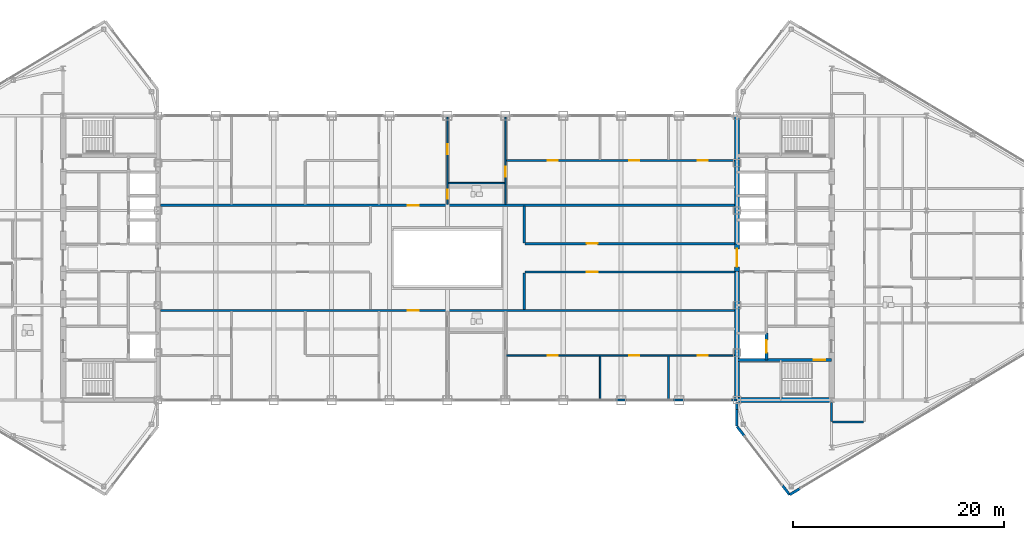
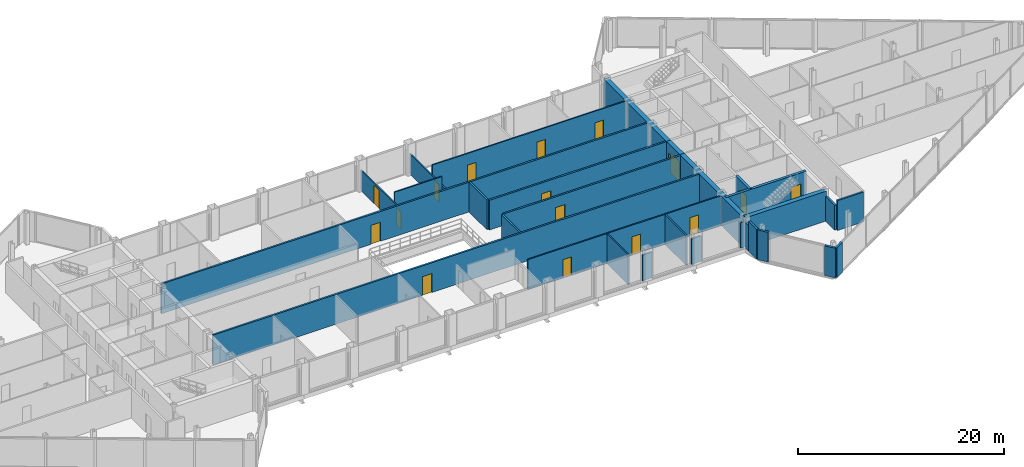
# One storey, part 24 of 29: 29 walls, 16 doors, 16 openings.
"""IFC4 building model written with IfcOpenShell, lengths in metres."""

from ifc_helpers import new_model, si_unit, direction, frame, frame_2d, origin, place, context, subcontext, project, spatial, rectangle, extrude, source, transform, mapped, material, layer, layer_set, type_object, type_shapes, element, fill, save


model = new_model("IFC4")

# Units and contexts
model_context = context("Model", 3, precision=1e-05, world=origin(), true_north=direction((0.0, 1.0)))
body_context = subcontext(model_context, "Body", "Model", "MODEL_VIEW")
ifc_project = project(units=[si_unit("LENGTHUNIT", "METRE"), si_unit("AREAUNIT", "SQUARE_METRE"), si_unit("VOLUMEUNIT", "CUBIC_METRE"), si_unit("PLANEANGLEUNIT", "RADIAN"), si_unit("MASSUNIT", "GRAM", prefix="KILO")], contexts=[model_context])

# Site, building, storey
site_placement = place(None, origin())
site = spatial("IfcSite", under=ifc_project, at=site_placement, CompositionType="ELEMENT")
building_placement = place(site_placement, origin())
building = spatial("IfcBuilding", under=site, at=building_placement, Name="Seokmaru Belvedere", CompositionType="ELEMENT")
storey_placement = place(building_placement, frame((0.0, 0.0, 243.14990234375)))
storey = spatial("IfcBuildingStorey", under=building, at=storey_placement, Name="L64", CompositionType="ELEMENT", Elevation=243.14990234375)

# Wall, openings, doors
ifc_material_1 = material(Name="Fire-Rated Gypsum Shaftwall")
ifc_layer_1 = layer(ifc_material_1, 0.14990234375)
ifc_layer_set_1 = layer_set([ifc_layer_1], Name="Fire-Rated Gypsum Shaftwall")
wall_type_1 = type_object("IfcWallType", Name="Apartment Fire-Acoustic Room Partition 150", PredefinedType="PARTITIONING", material=ifc_layer_set_1)
wall_1_placement = place(storey_placement, frame((5.5849609375, -9.25, 0.0), z_axis=(0.0, 0.0, 1.0), x_axis=(1.0, 0.0, 0.0)))
wall_1 = element("IfcWall", 1, at=wall_1_placement, inside=storey, type_object=wall_type_1, Name="L64 Interior Partition 005", PredefinedType="PARTITIONING", context=body_context, shape_type="SweptSolid", body=[
    extrude(rectangle(XDim=21.66015625, YDim=0.14990234375, at=frame_2d((10.830078125, 0.0))), origin(), (0.0, 0.0, 1.0), 3.530029296875),
])
opening_1_placement = place(wall_1_placement, frame((3.93994140625, 0.0, 0.0)))
opening_1 = element("IfcOpeningElement", 2, at=opening_1_placement, cuts=wall_1, Name="Opening D05", PredefinedType="OPENING", context=body_context, shape_type="SweptSolid", body=[
    extrude(rectangle(XDim=0.949951171875, YDim=2.14990234375, at=frame_2d((0.47509765625, 1.074951171875))), frame((0.0, 0.0849609375, 0.0), z_axis=(0.0, -1.0, 0.0), x_axis=(1.0, 0.0, 0.0)), (0.0, 0.0, 1.0), 0.169921875),
])
opening_2_placement = place(wall_1_placement, frame((11.68994140625, 0.0, 0.0)))
opening_2 = element("IfcOpeningElement", 3, at=opening_2_placement, cuts=wall_1, Name="Opening D05", PredefinedType="OPENING", context=body_context, shape_type="SweptSolid", body=[
    extrude(rectangle(XDim=0.949951171875, YDim=2.14990234375, at=frame_2d((0.47509765625, 1.074951171875))), frame((0.0, 0.0849609375, 0.0), z_axis=(0.0, -1.0, 0.0), x_axis=(1.0, 0.0, 0.0)), (0.0, 0.0, 1.0), 0.169921875),
])
opening_3_placement = place(wall_1_placement, frame((18.18994140625, 0.0, 0.0)))
opening_3 = element("IfcOpeningElement", 4, at=opening_3_placement, cuts=wall_1, Name="Opening D05", PredefinedType="OPENING", context=body_context, shape_type="SweptSolid", body=[
    extrude(rectangle(XDim=0.949951171875, YDim=2.14990234375, at=frame_2d((0.47509765625, 1.074951171875))), frame((0.0, 0.0849609375, 0.0), z_axis=(0.0, -1.0, 0.0), x_axis=(1.0, 0.0, 0.0)), (0.0, 0.0, 1.0), 0.169921875),
])
ifc_material_2 = material(Name="Engineered White Oak Timber", Category="wood")
door_type_1 = type_object("IfcDoorType", Name="Apartment Interior Fire-Rated Oak Door 950x2150", OperationType="NOTDEFINED", PredefinedType="DOOR", material=ifc_material_2)
shared_shape_1 = source(origin(), body_context, "Body", "SweptSolid", [
    extrude(rectangle(XDim=0.949951171875, YDim=2.14990234375, at=frame_2d((0.47509765625, 1.074951171875))), frame((0.0, 0.02490234375, 0.0), z_axis=(0.0, -1.0, 0.0), x_axis=(1.0, 0.0, 0.0)), (0.0, 0.0, 1.0), 0.050048828125),
])
type_shapes(door_type_1, [shared_shape_1])
door_1_placement = place(opening_1_placement, origin())
door_1 = element("IfcDoor", 5, at=door_1_placement, inside=storey, type_object=door_type_1, Name="L64 Interior Door 035", OperationType="SINGLE_SWING_LEFT", OverallHeight=2.14990234375, OverallWidth=0.949951171875, PredefinedType="DOOR", context=body_context, shape_type="MappedRepresentation", body=[
    mapped(shared_shape_1, transform((0.0, 0.0, 0.0), scale=1.0)),
])
fill(opening_1, door_1)
door_2_placement = place(opening_2_placement, origin())
door_2 = element("IfcDoor", 6, at=door_2_placement, inside=storey, type_object=door_type_1, Name="L64 Interior Door 036", OperationType="SINGLE_SWING_RIGHT", OverallHeight=2.14990234375, OverallWidth=0.949951171875, PredefinedType="DOOR", context=body_context, shape_type="MappedRepresentation", body=[
    mapped(shared_shape_1, transform((0.0, 0.0, 0.0), scale=1.0)),
])
fill(opening_2, door_2)
door_3_placement = place(opening_3_placement, origin())
door_3 = element("IfcDoor", 7, at=door_3_placement, inside=storey, type_object=door_type_1, Name="L64 Interior Door 037", OperationType="SINGLE_SWING_LEFT", OverallHeight=2.14990234375, OverallWidth=0.949951171875, PredefinedType="DOOR", context=body_context, shape_type="MappedRepresentation", body=[
    mapped(shared_shape_1, transform((0.0, 0.0, 0.0), scale=1.0)),
])
fill(opening_3, door_3)

wall_2_placement = place(storey_placement, frame((5.5849609375, 9.25, 0.0), z_axis=(0.0, 0.0, 1.0), x_axis=(1.0, 0.0, 0.0)))
wall_2 = element("IfcWall", 8, at=wall_2_placement, inside=storey, type_object=wall_type_1, Name="L64 Interior Partition 028", PredefinedType="PARTITIONING", context=body_context, shape_type="SweptSolid", body=[
    extrude(rectangle(XDim=21.66015625, YDim=0.14990234375, at=frame_2d((10.830078125, 0.0))), origin(), (0.0, 0.0, 1.0), 3.530029296875),
])
opening_4_placement = place(wall_2_placement, frame((3.93994140625, 0.0, 0.0)))
opening_4 = element("IfcOpeningElement", 9, at=opening_4_placement, cuts=wall_2, Name="Opening D05", PredefinedType="OPENING", context=body_context, shape_type="SweptSolid", body=[
    extrude(rectangle(XDim=0.949951171875, YDim=2.14990234375, at=frame_2d((0.47509765625, 1.074951171875))), frame((0.0, 0.0849609375, 0.0), z_axis=(0.0, -1.0, 0.0), x_axis=(1.0, 0.0, 0.0)), (0.0, 0.0, 1.0), 0.169921875),
])
opening_5_placement = place(wall_2_placement, frame((11.68994140625, 0.0, 0.0)))
opening_5 = element("IfcOpeningElement", 10, at=opening_5_placement, cuts=wall_2, Name="Opening D05", PredefinedType="OPENING", context=body_context, shape_type="SweptSolid", body=[
    extrude(rectangle(XDim=0.949951171875, YDim=2.14990234375, at=frame_2d((0.47509765625, 1.074951171875))), frame((0.0, 0.0849609375, 0.0), z_axis=(0.0, -1.0, 0.0), x_axis=(1.0, 0.0, 0.0)), (0.0, 0.0, 1.0), 0.169921875),
])
opening_6_placement = place(wall_2_placement, frame((18.18994140625, 0.0, 0.0)))
opening_6 = element("IfcOpeningElement", 11, at=opening_6_placement, cuts=wall_2, Name="Opening D05", PredefinedType="OPENING", context=body_context, shape_type="SweptSolid", body=[
    extrude(rectangle(XDim=0.949951171875, YDim=2.14990234375, at=frame_2d((0.47509765625, 1.074951171875))), frame((0.0, 0.0849609375, 0.0), z_axis=(0.0, -1.0, 0.0), x_axis=(1.0, 0.0, 0.0)), (0.0, 0.0, 1.0), 0.169921875),
])
door_4_placement = place(opening_4_placement, origin())
door_4 = element("IfcDoor", 12, at=door_4_placement, inside=storey, type_object=door_type_1, Name="L64 Interior Door 046", OperationType="SINGLE_SWING_LEFT", OverallHeight=2.14990234375, OverallWidth=0.949951171875, PredefinedType="DOOR", context=body_context, shape_type="MappedRepresentation", body=[
    mapped(shared_shape_1, transform((0.0, 0.0, 0.0), scale=1.0)),
])
fill(opening_4, door_4)
door_5_placement = place(opening_5_placement, origin())
door_5 = element("IfcDoor", 13, at=door_5_placement, inside=storey, type_object=door_type_1, Name="L64 Interior Door 047", OperationType="SINGLE_SWING_RIGHT", OverallHeight=2.14990234375, OverallWidth=0.949951171875, PredefinedType="DOOR", context=body_context, shape_type="MappedRepresentation", body=[
    mapped(shared_shape_1, transform((0.0, 0.0, 0.0), scale=1.0)),
])
fill(opening_5, door_5)
door_6_placement = place(opening_6_placement, origin())
door_6 = element("IfcDoor", 14, at=door_6_placement, inside=storey, type_object=door_type_1, Name="L64 Interior Door 048", OperationType="SINGLE_SWING_LEFT", OverallHeight=2.14990234375, OverallWidth=0.949951171875, PredefinedType="DOOR", context=body_context, shape_type="MappedRepresentation", body=[
    mapped(shared_shape_1, transform((0.0, 0.0, 0.0), scale=1.0)),
])
fill(opening_6, door_6)

# Wall, opening, door
wall_3_placement = place(storey_placement, frame((5.5, 5.0849609375, 0.0), z_axis=(0.0, 0.0, 1.0), x_axis=(0.0, 1.0, 0.0)))
wall_3 = element("IfcWall", 15, at=wall_3_placement, inside=storey, type_object=wall_type_1, Name="L64 Interior Partition 049", PredefinedType="PARTITIONING", context=body_context, shape_type="SweptSolid", body=[
    extrude(rectangle(XDim=8.304931640625, YDim=0.14990234375, at=frame_2d((4.15234375, 0.0))), origin(), (0.0, 0.0, 1.0), 2.43017578125),
])
opening_7_placement = place(wall_3_placement, frame((2.614990234375, 0.0, 0.0)))
opening_7 = element("IfcOpeningElement", 16, at=opening_7_placement, cuts=wall_3, Name="Opening D05", PredefinedType="OPENING", context=body_context, shape_type="SweptSolid", body=[
    extrude(rectangle(XDim=0.949951171875, YDim=2.14990234375, at=frame_2d((0.47509765625, 1.074951171875))), frame((0.0, 0.0849609375, 0.0), z_axis=(0.0, -1.0, 0.0), x_axis=(1.0, 0.0, 0.0)), (0.0, 0.0, 1.0), 0.169921875),
])
door_7_placement = place(opening_7_placement, origin())
door_7 = element("IfcDoor", 17, at=door_7_placement, inside=storey, type_object=door_type_1, Name="L64 Interior Door 045", OperationType="SINGLE_SWING_LEFT", OverallHeight=2.14990234375, OverallWidth=0.949951171875, PredefinedType="DOOR", context=body_context, shape_type="MappedRepresentation", body=[
    mapped(shared_shape_1, transform((0.0, 0.0, 0.0), scale=1.0)),
])
fill(opening_7, door_7)

# Walls
for number, where, z_axis, x_axis, name in (
    (18, (14.5, -13.5, 0.0), (0.0, 0.0, 1.0), (0.0, 1.0, 0.0), "L64 Interior Partition 052"),
    (19, (21.0, -13.5, 0.0), (0.0, 0.0, 1.0), (0.0, 1.0, 0.0), "L64 Interior Partition 054"),
):
    element("IfcWall", number, at=place(storey_placement, frame(where, z_axis=z_axis, x_axis=x_axis)), inside=storey, type_object=wall_type_1, Name=name, PredefinedType="PARTITIONING", context=body_context, shape_type="SweptSolid", body=[
        extrude(rectangle(XDim=4.1650390625, YDim=0.14990234375, at=frame_2d((2.08251953125, 0.0))), origin(), (0.0, 0.0, 1.0), 3.530029296875),
    ])
ifc_material_3 = material(Name="Anodised Bronze Aluminium", Category="aluminium")
ifc_layer_2 = layer(ifc_material_3, 0.2099609375)
ifc_layer_set_2 = layer_set([ifc_layer_2], Name="Anodised Bronze Aluminium")
wall_type_2 = type_object("IfcWallType", Name="Bridge Column Spandrel Closure Pier 210", PredefinedType="SOLIDWALL", material=ifc_layer_set_2)
for number, where, z_axis, x_axis, name in (
    (20, (15.949951171875, -13.5, 0.0), (0.0, 0.0, 1.0), (1.0, 0.0, 0.0), "L64 Bridge South Column Closure Pier 09"),
    (21, (21.449951171875, -13.5, 0.0), (0.0, 0.0, 1.0), (1.0, 0.0, 0.0), "L64 Bridge South Column Closure Pier 10"),
):
    element("IfcWall", number, at=place(storey_placement, frame(where, z_axis=z_axis, x_axis=x_axis)), inside=storey, type_object=wall_type_2, Name=name, PredefinedType="SOLIDWALL", context=body_context, shape_type="SweptSolid", body=[
        extrude(rectangle(XDim=1.10009765625, YDim=0.2099609375, at=frame_2d((0.550048828125, 0.0))), origin(), (0.0, 0.0, 1.0), 3.030029296875),
    ])
wall_4_placement = place(storey_placement, frame((26.949951171875, -13.5, 0.0), z_axis=(0.0, 0.0, 1.0), x_axis=(1.0, 0.0, 0.0)))
element("IfcWall", 22, at=wall_4_placement, inside=storey, type_object=wall_type_2, Name="L64 Bridge South Column Closure Pier 11", PredefinedType="SOLIDWALL", context=body_context, shape_type="SweptSolid", body=[
    extrude(rectangle(XDim=0.5400390625, YDim=0.2099609375, at=frame_2d((0.27001953125, 0.0))), origin(), (0.0, 0.0, 1.0), 3.030029296875),
])
ifc_layer_3 = layer(ifc_material_1, 0.199951171875)
ifc_layer_set_3 = layer_set([ifc_layer_3], Name="Fire-Rated Gypsum Shaftwall")
wall_type_3 = type_object("IfcWallType", Name="Inter-Tenancy Fire Compartment Partition 200", PredefinedType="PARTITIONING", material=ifc_layer_set_3)
wall_5_placement = place(storey_placement, frame((36.5849609375, -15.60009765625, 0.0), z_axis=(0.0, 0.0, 1.0), x_axis=(1.0, 0.0, 0.0)))
element("IfcWall", 23, at=wall_5_placement, inside=storey, type_object=wall_type_3, Name="L64 Interior Partition 002", PredefinedType="PARTITIONING", context=body_context, shape_type="SweptSolid", body=[
    extrude(rectangle(XDim=2.929931640625, YDim=0.199951171875, at=frame_2d((1.46484375, 0.0))), origin(), (0.0, 0.0, 1.0), 3.530029296875),
])

# Wall, opening, door
wall_6_placement = place(storey_placement, frame((-27.2451171875, -5.0, 0.0), z_axis=(0.0, 0.0, 1.0), x_axis=(1.0, 0.0, 0.0)))
wall_6 = element("IfcWall", 24, at=wall_6_placement, inside=storey, type_object=wall_type_3, Name="L64 Interior Partition 010", PredefinedType="PARTITIONING", context=body_context, shape_type="SweptSolid", body=[
    extrude(rectangle(XDim=54.490234375, YDim=0.199951171875, at=frame_2d((27.2451171875, 0.0))), origin(), (0.0, 0.0, 1.0), 3.530029296875),
])
opening_8_placement = place(wall_6_placement, frame((23.469970703125, 0.0, 0.0)))
opening_8 = element("IfcOpeningElement", 25, at=opening_8_placement, cuts=wall_6, Name="Opening D03", PredefinedType="OPENING", context=body_context, shape_type="SweptSolid", body=[
    extrude(rectangle(XDim=1.050048828125, YDim=2.25, at=frame_2d((0.52490234375, 1.125))), frame((0.0, 0.10986328125, 0.0), z_axis=(0.0, -1.0, 0.0), x_axis=(1.0, 0.0, 0.0)), (0.0, 0.0, 1.0), 0.219970703125),
])
ifc_material_4 = material(Name="Fire-Rated Steel Leaf", Category="steel")
door_type_2 = type_object("IfcDoorType", Name="Apartment Entrance Fire Door 1050x2250", OperationType="NOTDEFINED", PredefinedType="DOOR", material=ifc_material_4)
shared_shape_2 = source(origin(), body_context, "Body", "SweptSolid", [
    extrude(rectangle(XDim=1.050048828125, YDim=2.25, at=frame_2d((0.52490234375, 1.125))), frame((0.0, 0.02490234375, 0.0), z_axis=(0.0, -1.0, 0.0), x_axis=(1.0, 0.0, 0.0)), (0.0, 0.0, 1.0), 0.050048828125),
])
type_shapes(door_type_2, [shared_shape_2])
door_8_placement = place(opening_8_placement, origin())
door_8 = element("IfcDoor", 26, at=door_8_placement, inside=storey, type_object=door_type_2, Name="L64 Interior Door 027", OperationType="SINGLE_SWING_LEFT", OverallHeight=2.25, OverallWidth=1.050048828125, PredefinedType="DOOR", context=body_context, shape_type="MappedRepresentation", body=[
    mapped(shared_shape_2, transform((0.0, 0.0, 0.0), scale=1.0)),
])
fill(opening_8, door_8)

wall_7_placement = place(storey_placement, frame((7.385009765625, -1.35009765625, 0.0), z_axis=(0.0, 0.0, 1.0), x_axis=(1.0, 0.0, 0.0)))
wall_7 = element("IfcWall", 27, at=wall_7_placement, inside=storey, type_object=wall_type_3, Name="L64 Interior Partition 015", PredefinedType="PARTITIONING", context=body_context, shape_type="SweptSolid", body=[
    extrude(rectangle(XDim=19.860107421875, YDim=0.199951171875, at=frame_2d((9.93017578125, 0.0))), origin(), (0.0, 0.0, 1.0), 3.530029296875),
])
opening_9_placement = place(wall_7_placement, frame((5.840087890625, 0.0, 0.0)))
opening_9 = element("IfcOpeningElement", 28, at=opening_9_placement, cuts=wall_7, Name="Opening D03", PredefinedType="OPENING", context=body_context, shape_type="SweptSolid", body=[
    extrude(rectangle(XDim=1.050048828125, YDim=2.25, at=frame_2d((0.52490234375, 1.125))), frame((0.0, 0.10986328125, 0.0), z_axis=(0.0, -1.0, 0.0), x_axis=(1.0, 0.0, 0.0)), (0.0, 0.0, 1.0), 0.219970703125),
])
door_9_placement = place(opening_9_placement, origin())
door_9 = element("IfcDoor", 29, at=door_9_placement, inside=storey, type_object=door_type_2, Name="L64 Interior Door 024", OperationType="SINGLE_SWING_RIGHT", OverallHeight=2.25, OverallWidth=1.050048828125, PredefinedType="DOOR", context=body_context, shape_type="MappedRepresentation", body=[
    mapped(shared_shape_2, transform((0.0, 0.0, 0.0), scale=1.0)),
])
fill(opening_9, door_9)

wall_8_placement = place(storey_placement, frame((7.385009765625, 1.35009765625, 0.0), z_axis=(0.0, 0.0, 1.0), x_axis=(1.0, 0.0, 0.0)))
wall_8 = element("IfcWall", 30, at=wall_8_placement, inside=storey, type_object=wall_type_3, Name="L64 Interior Partition 019", PredefinedType="PARTITIONING", context=body_context, shape_type="SweptSolid", body=[
    extrude(rectangle(XDim=19.860107421875, YDim=0.199951171875, at=frame_2d((9.93017578125, 0.0))), origin(), (0.0, 0.0, 1.0), 3.530029296875),
])
opening_10_placement = place(wall_8_placement, frame((5.840087890625, 0.0, 0.0)))
opening_10 = element("IfcOpeningElement", 31, at=opening_10_placement, cuts=wall_8, Name="Opening D03", PredefinedType="OPENING", context=body_context, shape_type="SweptSolid", body=[
    extrude(rectangle(XDim=1.050048828125, YDim=2.25, at=frame_2d((0.52490234375, 1.125))), frame((0.0, 0.10986328125, 0.0), z_axis=(0.0, -1.0, 0.0), x_axis=(1.0, 0.0, 0.0)), (0.0, 0.0, 1.0), 0.219970703125),
])
door_10_placement = place(opening_10_placement, origin())
door_10 = element("IfcDoor", 32, at=door_10_placement, inside=storey, type_object=door_type_2, Name="L64 Interior Door 026", OperationType="SINGLE_SWING_LEFT", OverallHeight=2.25, OverallWidth=1.050048828125, PredefinedType="DOOR", context=body_context, shape_type="MappedRepresentation", body=[
    mapped(shared_shape_2, transform((0.0, 0.0, 0.0), scale=1.0)),
])
fill(opening_10, door_10)

wall_9_placement = place(storey_placement, frame((-27.2451171875, 5.0, 0.0), z_axis=(0.0, 0.0, 1.0), x_axis=(1.0, 0.0, 0.0)))
wall_9 = element("IfcWall", 33, at=wall_9_placement, inside=storey, type_object=wall_type_3, Name="L64 Interior Partition 023", PredefinedType="PARTITIONING", context=body_context, shape_type="SweptSolid", body=[
    extrude(rectangle(XDim=54.490234375, YDim=0.199951171875, at=frame_2d((27.2451171875, 0.0))), origin(), (0.0, 0.0, 1.0), 3.530029296875),
])
opening_11_placement = place(wall_9_placement, frame((23.469970703125, 0.0, 0.0)))
opening_11 = element("IfcOpeningElement", 34, at=opening_11_placement, cuts=wall_9, Name="Opening D03", PredefinedType="OPENING", context=body_context, shape_type="SweptSolid", body=[
    extrude(rectangle(XDim=1.050048828125, YDim=2.25, at=frame_2d((0.52490234375, 1.125))), frame((0.0, 0.10986328125, 0.0), z_axis=(0.0, -1.0, 0.0), x_axis=(1.0, 0.0, 0.0)), (0.0, 0.0, 1.0), 0.219970703125),
])
door_11_placement = place(opening_11_placement, origin())
door_11 = element("IfcDoor", 35, at=door_11_placement, inside=storey, type_object=door_type_2, Name="L64 Interior Door 038", OperationType="SINGLE_SWING_RIGHT", OverallHeight=2.25, OverallWidth=1.050048828125, PredefinedType="DOOR", context=body_context, shape_type="MappedRepresentation", body=[
    mapped(shared_shape_2, transform((0.0, 0.0, 0.0), scale=1.0)),
])
fill(opening_11, door_11)

# Walls
for number, where, z_axis, x_axis, name in (
    (36, (7.300048828125, -4.9150390625, 0.0), (0.0, 0.0, 1.0), (0.0, 1.0, 0.0), "L64 Interior Partition 050"),
    (37, (7.300048828125, 1.43505859375, 0.0), (0.0, 0.0, 1.0), (0.0, 1.0, 0.0), "L64 Interior Partition 051"),
):
    element("IfcWall", number, at=place(storey_placement, frame(where, z_axis=z_axis, x_axis=x_axis)), inside=storey, type_object=wall_type_3, Name=name, PredefinedType="PARTITIONING", context=body_context, shape_type="SweptSolid", body=[
        extrude(rectangle(XDim=3.47998046875, YDim=0.199951171875, at=frame_2d((1.739990234375, 0.0))), origin(), (0.0, 0.0, 1.0), 3.530029296875),
    ])
wall_10_placement = place(storey_placement, frame((36.5, -15.514892578125, 0.0), z_axis=(0.0, 0.0, 1.0), x_axis=(0.0, 1.0, 0.0)))
element("IfcWall", 38, at=wall_10_placement, inside=storey, type_object=wall_type_3, Name="L64 Interior Partition 056", PredefinedType="PARTITIONING", context=body_context, shape_type="SweptSolid", body=[
    extrude(rectangle(XDim=1.760009765625, YDim=0.199951171875, at=frame_2d((0.8798828125, 0.0))), origin(), (0.0, 0.0, 1.0), 2.93017578125),
])

# Wall, opening, door
ifc_material_5 = material(Name="Concrete C50 (50 MPa)", Category="concrete")
ifc_layer_4 = layer(ifc_material_5, 0.300048828125)
ifc_layer_set_4 = layer_set([ifc_layer_4], Name="Concrete C50 (50 MPa)")
wall_type_4 = type_object("IfcWallType", Name="Internal Core Stair and Hoistway Wall 300", PredefinedType="SHEAR", material=ifc_layer_set_4)
wall_11_placement = place(storey_placement, frame((27.5, -9.699951171875, 0.0), z_axis=(0.0, 0.0, 1.0), x_axis=(1.0, 0.0, 0.0)))
wall_11 = element("IfcWall", 39, at=wall_11_placement, inside=storey, type_object=wall_type_4, Name="L64 East Stair ST-1 Enclosure Wall", PredefinedType="SHEAR", context=body_context, shape_type="SweptSolid", body=[
    extrude(rectangle(XDim=9.0, YDim=0.300048828125, at=frame_2d((4.5, 0.0))), origin(), (0.0, 0.0, 1.0), 3.530029296875),
])
opening_12_placement = place(wall_11_placement, frame((7.300048828125, 0.0, 0.0)))
opening_12 = element("IfcOpeningElement", 40, at=opening_12_placement, cuts=wall_11, Name="Opening D01", PredefinedType="OPENING", context=body_context, shape_type="SweptSolid", body=[
    extrude(rectangle(XDim=1.10009765625, YDim=2.199951171875, at=frame_2d((0.550048828125, 1.10009765625))), frame((0.0, 0.16015625, 0.0), z_axis=(0.0, -1.0, 0.0), x_axis=(1.0, 0.0, 0.0)), (0.0, 0.0, 1.0), 0.320068359375),
])
door_type_3 = type_object("IfcDoorType", Name="Special Escape Stair Smokeproof Fire Door 1100x2200", OperationType="NOTDEFINED", PredefinedType="DOOR", material=ifc_material_4)
shared_shape_3 = source(origin(), body_context, "Body", "SweptSolid", [
    extrude(rectangle(XDim=1.10009765625, YDim=2.199951171875, at=frame_2d((0.550048828125, 1.10009765625))), frame((0.0, 0.02490234375, 0.0), z_axis=(0.0, -1.0, 0.0), x_axis=(1.0, 0.0, 0.0)), (0.0, 0.0, 1.0), 0.050048828125),
])
type_shapes(door_type_3, [shared_shape_3])
door_12_placement = place(opening_12_placement, frame((1.10009765625, 0.0, 0.0), z_axis=(0.0, 0.0, 1.0), x_axis=(-1.0, 0.0, 0.0)))
door_12 = element("IfcDoor", 41, at=door_12_placement, inside=storey, type_object=door_type_3, Name="L64 East Special Escape Stair ST-1 Door", OperationType="SINGLE_SWING_RIGHT", OverallHeight=2.199951171875, OverallWidth=1.10009765625, PredefinedType="DOOR", context=body_context, shape_type="MappedRepresentation", body=[
    mapped(shared_shape_3, transform((0.0, 0.0, 0.0), scale=1.0)),
])
fill(opening_12, door_12)

wall_12_placement = place(storey_placement, frame((30.300048828125, -9.679931640625, 0.0), z_axis=(0.0, 0.0, 1.0), x_axis=(0.0, 1.0, 0.0)))
wall_12 = element("IfcWall", 42, at=wall_12_placement, inside=storey, type_object=wall_type_4, Name="L64 East Firefighting Lift Shaft Front Wall", PredefinedType="SHEAR", context=body_context, shape_type="SweptSolid", body=[
    extrude(rectangle(XDim=2.559814453125, YDim=0.300048828125, at=frame_2d((1.27978515625, 0.0))), origin(), (0.0, 0.0, 1.0), 3.530029296875),
])
opening_13_placement = place(wall_12_placement, frame((0.679931640625, 0.0, 0.0)))
opening_13 = element("IfcOpeningElement", 43, at=opening_13_placement, cuts=wall_12, Name="Opening LD2", PredefinedType="OPENING", context=body_context, shape_type="SweptSolid", body=[
    extrude(rectangle(XDim=1.199951171875, YDim=2.25, at=frame_2d((0.60009765625, 1.125))), frame((0.0, 0.16015625, 0.0), z_axis=(0.0, -1.0, 0.0), x_axis=(1.0, 0.0, 0.0)), (0.0, 0.0, 1.0), 0.320068359375),
])
ifc_material_6 = material(Name="Stainless Steel 316", Category="steel")
door_type_4 = type_object("IfcDoorType", Name="Firefighting Lift Sliding Landing Door 1200x2250", OperationType="DOUBLE_DOOR_SLIDING", PredefinedType="DOOR", material=ifc_material_6)
shared_shape_4 = source(origin(), body_context, "Body", "SweptSolid", [
    extrude(rectangle(XDim=1.199951171875, YDim=2.25, at=frame_2d((0.60009765625, 1.125))), frame((0.0, 0.02490234375, 0.0), z_axis=(0.0, -1.0, 0.0), x_axis=(1.0, 0.0, 0.0)), (0.0, 0.0, 1.0), 0.050048828125),
])
type_shapes(door_type_4, [shared_shape_4])
door_13_placement = place(opening_13_placement, origin())
door_13 = element("IfcDoor", 44, at=door_13_placement, inside=storey, type_object=door_type_4, Name="L64 East Firefighting Lift Landing Door", OperationType="DOUBLE_DOOR_SLIDING", OverallHeight=2.25, OverallWidth=1.199951171875, PredefinedType="DOOR", context=body_context, shape_type="MappedRepresentation", body=[
    mapped(shared_shape_4, transform((0.0, 0.0, 0.0), scale=1.0)),
])
fill(opening_13, door_13)

# Wall
ifc_layer_5 = layer(ifc_material_1, 0.1298828125)
ifc_layer_set_5 = layer_set([ifc_layer_5], Name="Fire-Rated Gypsum Shaftwall")
wall_type_5 = type_object("IfcWallType", Name="Moisture-Resistant Fire-Rated Bathroom Partition 130", PredefinedType="PARTITIONING", material=ifc_layer_set_5)
wall_13_placement = place(storey_placement, frame((0.0849609375, 7.10009765625, 0.0), z_axis=(0.0, 0.0, 1.0), x_axis=(1.0, 0.0, 0.0)))
element("IfcWall", 45, at=wall_13_placement, inside=storey, type_object=wall_type_5, Name="L64 Interior Partition 025", PredefinedType="PARTITIONING", context=body_context, shape_type="SweptSolid", body=[
    extrude(rectangle(XDim=5.330078125, YDim=0.1298828125, at=frame_2d((2.6650390625, 0.0))), origin(), (0.0, 0.0, 1.0), 3.530029296875),
])

# Wall, openings, doors
wall_14_placement = place(storey_placement, frame((0.0, 5.0849609375, 0.0), z_axis=(0.0, 0.0, 1.0), x_axis=(0.0, 1.0, 0.0)))
wall_14 = element("IfcWall", 46, at=wall_14_placement, inside=storey, type_object=wall_type_5, Name="L64 Interior Partition 047", PredefinedType="PARTITIONING", context=body_context, shape_type="SweptSolid", body=[
    extrude(rectangle(XDim=8.304931640625, YDim=0.1298828125, at=frame_2d((4.15234375, 0.0))), origin(), (0.0, 0.0, 1.0), 2.43017578125),
])
opening_14_placement = place(wall_14_placement, frame((0.52490234375, 0.0, 0.0)))
opening_14 = element("IfcOpeningElement", 47, at=opening_14_placement, cuts=wall_14, Name="Opening D06", PredefinedType="OPENING", context=body_context, shape_type="SweptSolid", body=[
    extrude(rectangle(XDim=0.8798828125, YDim=2.10009765625, at=frame_2d((0.43994140625, 1.050048828125))), frame((0.0, 0.074951171875, 0.0), z_axis=(0.0, -1.0, 0.0), x_axis=(1.0, 0.0, 0.0)), (0.0, 0.0, 1.0), 0.14990234375),
])
opening_15_placement = place(wall_14_placement, frame((4.739990234375, 0.0, 0.0)))
opening_15 = element("IfcOpeningElement", 48, at=opening_15_placement, cuts=wall_14, Name="Opening D05", PredefinedType="OPENING", context=body_context, shape_type="SweptSolid", body=[
    extrude(rectangle(XDim=0.949951171875, YDim=2.14990234375, at=frame_2d((0.47509765625, 1.074951171875))), frame((0.0, 0.074951171875, 0.0), z_axis=(0.0, -1.0, 0.0), x_axis=(1.0, 0.0, 0.0)), (0.0, 0.0, 1.0), 0.14990234375),
])
door_type_5 = type_object("IfcDoorType", Name="Bathroom and Restroom Fire-Rated Door 880x2100", OperationType="NOTDEFINED", PredefinedType="DOOR", material=ifc_material_2)
shared_shape_5 = source(origin(), body_context, "Body", "SweptSolid", [
    extrude(rectangle(XDim=0.8798828125, YDim=2.10009765625, at=frame_2d((0.43994140625, 1.050048828125))), frame((0.0, 0.02490234375, 0.0), z_axis=(0.0, -1.0, 0.0), x_axis=(1.0, 0.0, 0.0)), (0.0, 0.0, 1.0), 0.050048828125),
])
type_shapes(door_type_5, [shared_shape_5])
door_14_placement = place(opening_14_placement, origin())
door_14 = element("IfcDoor", 49, at=door_14_placement, inside=storey, type_object=door_type_5, Name="L64 Interior Door 039", OperationType="SINGLE_SWING_LEFT", OverallHeight=2.10009765625, OverallWidth=0.8798828125, PredefinedType="DOOR", context=body_context, shape_type="MappedRepresentation", body=[
    mapped(shared_shape_5, transform((0.0, 0.0, 0.0), scale=1.0)),
])
fill(opening_14, door_14)
door_15_placement = place(opening_15_placement, origin())
door_15 = element("IfcDoor", 50, at=door_15_placement, inside=storey, type_object=door_type_1, Name="L64 Interior Door 040", OperationType="SINGLE_SWING_RIGHT", OverallHeight=2.14990234375, OverallWidth=0.949951171875, PredefinedType="DOOR", context=body_context, shape_type="MappedRepresentation", body=[
    mapped(shared_shape_1, transform((0.0, 0.0, 0.0), scale=1.0)),
])
fill(opening_15, door_15)

# Walls
ifc_layer_6 = layer(ifc_material_3, 0.239990234375)
ifc_layer_set_6 = layer_set([ifc_layer_6], Name="Anodised Bronze Aluminium")
wall_type_6 = type_object("IfcWallType", Name="Tower Corner Spandrel Closure Wall 240", PredefinedType="SOLIDWALL", material=ifc_layer_set_6)
wall_15_placement = place(storey_placement, frame((32.508544921875, -22.494873046875, 0.0), z_axis=(0.0, 0.0, 1.0), x_axis=(0.85743623509, 0.514590228002, 0.0)))
element("IfcWall", 51, at=wall_15_placement, inside=storey, type_object=wall_type_6, Name="L64 E Corner Closure Pier 1A", PredefinedType="SOLIDWALL", context=body_context, shape_type="SweptSolid", body=[
    extrude(rectangle(XDim=1.14013671875, YDim=0.239990234375, at=frame_2d((0.570068359375, 0.0))), origin(), (0.0, 0.0, 1.0), 3.530029296875),
])
wall_16_placement = place(storey_placement, frame((27.5, -15.97998046875, 0.0), z_axis=(0.0, 0.0, 1.0), x_axis=(0.0, 1.0, 0.0)))
element("IfcWall", 52, at=wall_16_placement, inside=storey, type_object=wall_type_6, Name="L64 E Shoulder Closure Wall 1", PredefinedType="SOLIDWALL", context=body_context, shape_type="SweptSolid", body=[
    extrude(rectangle(XDim=1.605224609375, YDim=0.239990234375, at=frame_2d((0.802734375, 0.0))), origin(), (0.0, 0.0, 1.0), 3.530029296875),
])
wall_17_placement = place(storey_placement, frame((27.5, -14.374755859375, 0.0), z_axis=(0.0, 0.0, 1.0), x_axis=(0.0, 1.0, 0.0)))
element("IfcWall", 53, at=wall_17_placement, inside=storey, type_object=wall_type_6, Name="L64 E Shoulder Closure Wall 1 Part 2", PredefinedType="SOLIDWALL", context=body_context, shape_type="SweptSolid", body=[
    extrude(rectangle(XDim=0.619873046875, YDim=0.239990234375, at=frame_2d((0.31005859375, 0.0))), origin(), (0.0, 0.0, 1.0), 3.030029296875),
])
for number, where, z_axis, x_axis, name in (
    (54, (27.506103515625, -16.0078125, 0.0), (0.0, 0.0, 1.0), (0.609617623633, -0.792695624408, 0.0), "L64 E Corner Closure Pier 6A"),
    (55, (31.798828125, -21.58837890625, 0.0), (0.0, 0.0, 1.0), (0.609617623633, -0.792695624408, 0.0), "L64 E Corner Closure Pier 6B"),
):
    element("IfcWall", number, at=place(storey_placement, frame(where, z_axis=z_axis, x_axis=x_axis)), inside=storey, type_object=wall_type_6, Name=name, PredefinedType="SOLIDWALL", context=body_context, shape_type="SweptSolid", body=[
        extrude(rectangle(XDim=1.14013671875, YDim=0.239990234375, at=frame_2d((0.570068359375, 0.0))), origin(), (0.0, 0.0, 1.0), 3.530029296875),
    ])
ifc_layer_7 = layer(ifc_material_5, 0.5)
ifc_layer_set_7 = layer_set([ifc_layer_7], Name="Concrete C50 (50 MPa)")
wall_type_7 = type_object("IfcWallType", Name="Upper Tower Reinforced Concrete Core Wall 500", PredefinedType="SHEAR", material=ifc_layer_set_7)
for number, where, z_axis, x_axis, name in (
    (56, (27.5, -13.5, 0.0), (0.0, 0.0, 1.0), (0.0, 1.0, 0.0), "L64 East Portal Spine Core Wall South"),
    (57, (27.5, 1.300048828125, 0.0), (0.0, 0.0, 1.0), (0.0, 1.0, 0.0), "L64 East Portal Spine Core Wall North"),
):
    element("IfcWall", number, at=place(storey_placement, frame(where, z_axis=z_axis, x_axis=x_axis)), inside=storey, type_object=wall_type_7, Name=name, PredefinedType="SHEAR", context=body_context, shape_type="SweptSolid", body=[
        extrude(rectangle(XDim=12.199951171875, YDim=0.5, at=frame_2d((6.10009765625, 0.0))), origin(), (0.0, 0.0, 1.0), 3.530029296875),
    ])

# Wall, opening, door
wall_18_placement = place(storey_placement, frame((27.5, -1.300048828125, 0.0), z_axis=(0.0, 0.0, 1.0), x_axis=(0.0, 1.0, 0.0)))
wall_18 = element("IfcWall", 58, at=wall_18_placement, inside=storey, type_object=wall_type_7, Name="L64 East Portal Spine Core Wall Center", PredefinedType="SHEAR", context=body_context, shape_type="SweptSolid", body=[
    extrude(rectangle(XDim=2.60009765625, YDim=0.5, at=frame_2d((1.300048828125, 0.0))), origin(), (0.0, 0.0, 1.0), 3.530029296875),
])
opening_16_placement = place(wall_18_placement, frame((0.449951171875, 0.0, 0.0)))
opening_16 = element("IfcOpeningElement", 59, at=opening_16_placement, cuts=wall_18, Name="Opening D09", PredefinedType="OPENING", context=body_context, shape_type="SweptSolid", body=[
    extrude(rectangle(XDim=1.699951171875, YDim=2.35009765625, at=frame_2d((0.85009765625, 1.175048828125))), frame((0.0, 0.260009765625, 0.0), z_axis=(0.0, -1.0, 0.0), x_axis=(1.0, 0.0, 0.0)), (0.0, 0.0, 1.0), 0.52001953125),
])
door_type_6 = type_object("IfcDoorType", Name="Sky-Gate Bridge Inter-Tower Fire Door 1700x2350", OperationType="DOUBLE_SWING_LEFT", PredefinedType="DOOR", material=ifc_material_4)
shared_shape_6 = source(origin(), body_context, "Body", "SweptSolid", [
    extrude(rectangle(XDim=1.699951171875, YDim=2.35009765625, at=frame_2d((0.85009765625, 1.175048828125))), frame((0.0, 0.02490234375, 0.0), z_axis=(0.0, -1.0, 0.0), x_axis=(1.0, 0.0, 0.0)), (0.0, 0.0, 1.0), 0.050048828125),
])
type_shapes(door_type_6, [shared_shape_6])
door_16_placement = place(opening_16_placement, origin())
door_16 = element("IfcDoor", 60, at=door_16_placement, inside=storey, type_object=door_type_6, Name="L64 East Inter-Tower Fire Door", OperationType="DOUBLE_SWING_LEFT", OverallHeight=2.35009765625, OverallWidth=1.699951171875, PredefinedType="DOOR", context=body_context, shape_type="MappedRepresentation", body=[
    mapped(shared_shape_6, transform((0.0, 0.0, 0.0), scale=1.0)),
])
fill(opening_16, door_16)

# Wall
wall_19_placement = place(storey_placement, frame((27.5, -13.5, 0.0), z_axis=(0.0, 0.0, 1.0), x_axis=(1.0, 0.0, 0.0)))
element("IfcWall", 61, at=wall_19_placement, inside=storey, type_object=wall_type_7, Name="L64 East South Core Wall", PredefinedType="SHEAR", context=body_context, shape_type="SweptSolid", body=[
    extrude(rectangle(XDim=9.0, YDim=0.5, at=frame_2d((4.5, 0.0))), origin(), (0.0, 0.0, 1.0), 3.530029296875),
])

save(model, "model.ifc")
